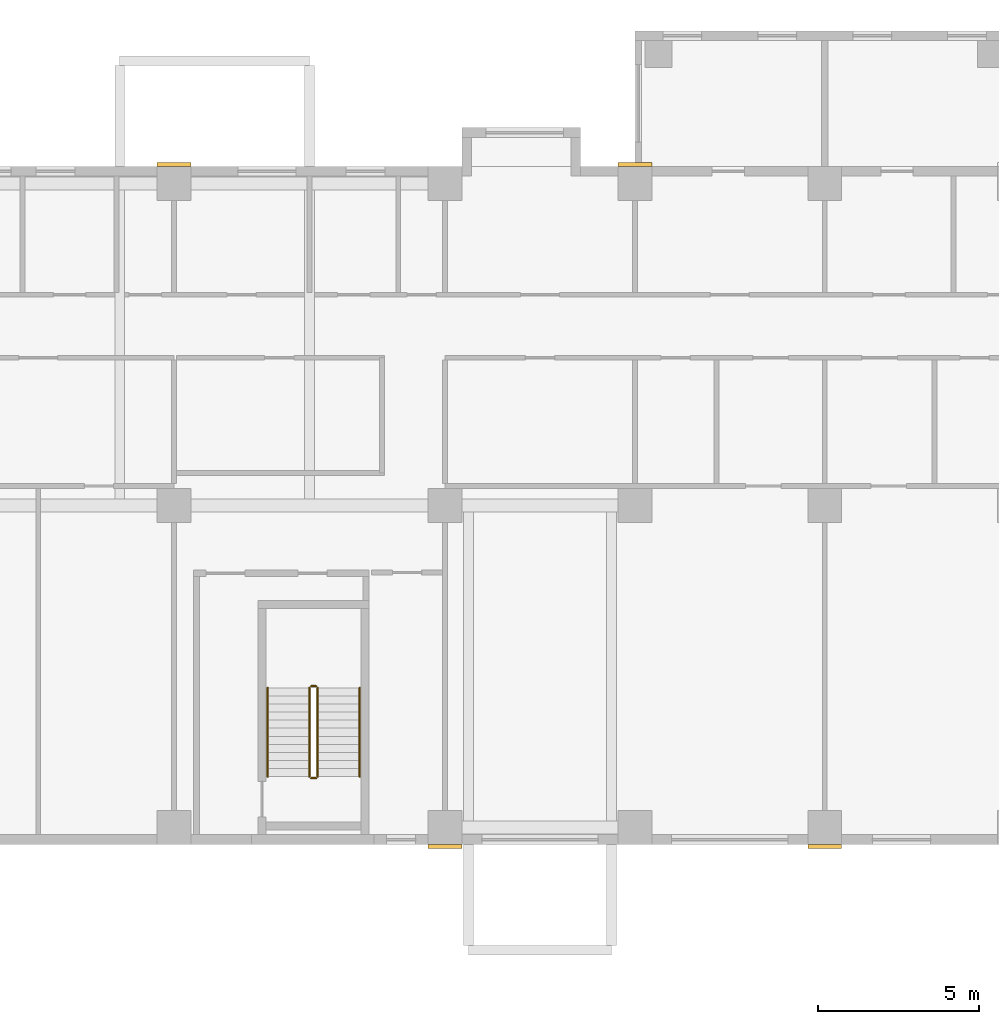
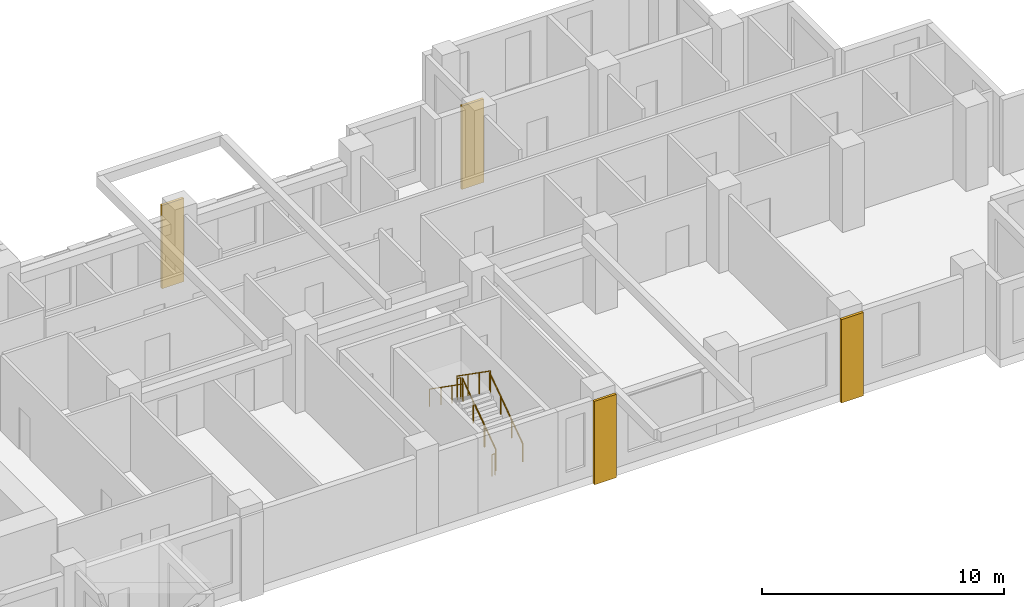
# One storey, part 12 of 14: 6 railings, 4 coverings.
"""IFC4 building model written with IfcOpenShell, lengths in metres."""

from ifc_helpers import new_model, si_unit, direction, frame, origin, origin_2d, place, context, subcontext, project, spatial, rectangle, circle, extrude, source, transform, mapped, material, type_object, element, save


model = new_model("IFC4")

# Units and contexts
model_context = context("Model", 3, precision=1e-05, world=origin(), true_north=direction((0.0, 1.0)))
body_context = subcontext(model_context, "Body", "Model", "MODEL_VIEW")
ifc_project = project(units=[si_unit("LENGTHUNIT", "METRE"), si_unit("AREAUNIT", "SQUARE_METRE"), si_unit("VOLUMEUNIT", "CUBIC_METRE"), si_unit("PLANEANGLEUNIT", "RADIAN"), si_unit("MASSUNIT", "GRAM", prefix="KILO")], contexts=[model_context])

# Site, building, storey
site_placement = place(None, origin())
site = spatial("IfcSite", under=ifc_project, at=site_placement, CompositionType="ELEMENT")
building_placement = place(site_placement, origin())
building = spatial("IfcBuilding", under=site, at=building_placement, Name="Aurelian Terraces", CompositionType="ELEMENT")
storey_placement = place(building_placement, frame((0.0, 0.0, 116.1)))
storey = spatial("IfcBuildingStorey", under=building, at=storey_placement, Name="L25", CompositionType="ELEMENT", Elevation=116.1)

# Coverings
ifc_material_1 = material(Name="Terracotta rainscreen cladding relief", Category="masonry")
covering_type = type_object("IfcCoveringType", Name="BAGUETTE-TC", PredefinedType="CLADDING", material=ifc_material_1)
shared_shape_1 = source(origin(), body_context, "Body", "SweptSolid", [
    extrude(rectangle(XDim=1.05, YDim=0.12, at=origin_2d()), origin(), (0.0, 0.0, 1.0), 4.2),
])
for number, where, z_axis, x_axis, name in (
    (1, (46.2, -0.06, -0.4), (0.0, 0.0, 1.0), (1.0, 0.0, 0.0), "BAGUETTE pier L25 3"),
    (2, (57.96, -0.06, -0.4), (0.0, 0.0, 1.0), (1.0, 0.0, 0.0), "BAGUETTE pier L25 4"),
    (3, (37.8, 21.06, -0.4), (0.0, 0.0, 1.0), (1.0, 0.0, 0.0), "BAGUETTE pier L25 7"),
    (4, (52.08, 21.06, -0.4), (0.0, 0.0, 1.0), (1.0, 0.0, 0.0), "BAGUETTE pier L25 8"),
):
    element("IfcCovering", number, at=place(storey_placement, frame(where, z_axis=z_axis, x_axis=x_axis)), inside=storey, type_object=covering_type, Name=name, PredefinedType="CLADDING", context=body_context, shape_type="MappedRepresentation", body=[
        mapped(shared_shape_1, transform((0.0, 0.0, 0.0), scale=1.0)),
    ])

# Railings
ifc_material_2 = material(Name="Stainless steel", Category="steel")
railing_type_1 = type_object("IfcRailingType", Name="Stair guard 1100", PredefinedType="GUARDRAIL", material=ifc_material_2)
shared_shape_2 = source(origin(), body_context, "Body", "SweptSolid", [
    extrude(circle(Radius=0.024, at=origin_2d()), frame((0.0, 0.0, 1.076), z_axis=(-1.0, 0.0, 0.0), x_axis=(0.0, -1.0, 0.0)), (0.0, 0.0, 1.0), 0.15),
    extrude(circle(Radius=0.021, at=origin_2d()), origin(), (0.0, 0.0, 1.0), 1.052),
    extrude(circle(Radius=0.021, at=origin_2d()), frame((-0.15, 0.0, 0.0)), (0.0, 0.0, 1.0), 1.052),
])
for number, where, name in (
    (5, (42.2, 4.9, 2.1), "L25 S2 stair guard 2"),
    (6, (42.2, 2.05, 0.0), "L25 S2 stair guard 4"),
):
    element("IfcRailing", number, at=place(storey_placement, frame(where)), inside=storey, type_object=railing_type_1, Name=name, PredefinedType="GUARDRAIL", context=body_context, shape_type="MappedRepresentation", body=[
        mapped(shared_shape_2, transform((0.0, 0.0, 0.0), scale=1.0)),
    ])
shared_shape_3 = source(origin(), body_context, "Body", "SweptSolid", [
    extrude(circle(Radius=0.024, at=origin_2d()), frame((0.0, 0.0, 1.076), z_axis=(0.0, 0.819231920519, 0.573462344363), x_axis=(-1.0, 0.0, 0.0)), (0.0, 0.0, 1.0), 3.3568),
    extrude(circle(Radius=0.021, at=origin_2d()), origin(), (0.0, 0.0, 1.0), 1.052),
    extrude(circle(Radius=0.021, at=origin_2d()), frame((0.0, 0.9167, 0.6417)), (0.0, 0.0, 1.0), 1.052),
    extrude(circle(Radius=0.021, at=origin_2d()), frame((0.0, 1.8333, 1.2833)), (0.0, 0.0, 1.0), 1.052),
    extrude(circle(Radius=0.021, at=origin_2d()), frame((0.0, 2.75, 1.925)), (0.0, 0.0, 1.0), 1.052),
])
railing_1_placement = place(storey_placement, frame((42.25, 2.1, 0.175)))
element("IfcRailing", 7, at=railing_1_placement, inside=storey, type_object=railing_type_1, Name="L25 S2 stair guard 1", PredefinedType="GUARDRAIL", context=body_context, shape_type="MappedRepresentation", body=[
    mapped(shared_shape_3, transform((0.0, 0.0, 0.0), scale=1.0)),
])
shared_shape_4 = source(origin(), body_context, "Body", "SweptSolid", [
    extrude(circle(Radius=0.024, at=origin_2d()), frame((0.0, 0.0, 1.076), z_axis=(0.0, -0.819231920519, 0.573462344363), x_axis=(1.0, 0.0, 0.0)), (0.0, 0.0, 1.0), 3.3568),
    extrude(circle(Radius=0.021, at=origin_2d()), origin(), (0.0, 0.0, 1.0), 1.052),
    extrude(circle(Radius=0.021, at=origin_2d()), frame((0.0, -0.9167, 0.6417)), (0.0, 0.0, 1.0), 1.052),
    extrude(circle(Radius=0.021, at=origin_2d()), frame((0.0, -1.8333, 1.2833)), (0.0, 0.0, 1.0), 1.052),
    extrude(circle(Radius=0.021, at=origin_2d()), frame((0.0, -2.75, 1.925)), (0.0, 0.0, 1.0), 1.052),
])
railing_2_placement = place(storey_placement, frame((42.0, 4.85, 2.275)))
element("IfcRailing", 8, at=railing_2_placement, inside=storey, type_object=railing_type_1, Name="L25 S2 stair guard 3", PredefinedType="GUARDRAIL", context=body_context, shape_type="MappedRepresentation", body=[
    mapped(shared_shape_4, transform((0.0, 0.0, 0.0), scale=1.0)),
])
railing_type_2 = type_object("IfcRailingType", Name="Stair handrail", PredefinedType="HANDRAIL", material=ifc_material_2)
shared_shape_5 = source(origin(), body_context, "Body", "SweptSolid", [
    extrude(circle(Radius=0.024, at=origin_2d()), frame((0.0, 0.0, 0.876), z_axis=(0.0, 0.819231920519, 0.573462344363), x_axis=(-1.0, 0.0, 0.0)), (0.0, 0.0, 1.0), 3.3568),
    extrude(circle(Radius=0.021, at=origin_2d()), origin(), (0.0, 0.0, 1.0), 0.852),
    extrude(circle(Radius=0.021, at=origin_2d()), frame((0.0, 0.9167, 0.6417)), (0.0, 0.0, 1.0), 0.852),
    extrude(circle(Radius=0.021, at=origin_2d()), frame((0.0, 1.8333, 1.2833)), (0.0, 0.0, 1.0), 0.852),
    extrude(circle(Radius=0.021, at=origin_2d()), frame((0.0, 2.75, 1.925)), (0.0, 0.0, 1.0), 0.852),
])
railing_3_placement = place(storey_placement, frame((43.55, 2.1, 0.175)))
element("IfcRailing", 9, at=railing_3_placement, inside=storey, type_object=railing_type_2, Name="L25 S2 stair handrail 1", PredefinedType="HANDRAIL", context=body_context, shape_type="MappedRepresentation", body=[
    mapped(shared_shape_5, transform((0.0, 0.0, 0.0), scale=1.0)),
])
shared_shape_6 = source(origin(), body_context, "Body", "SweptSolid", [
    extrude(circle(Radius=0.024, at=origin_2d()), frame((0.0, 0.0, 0.876), z_axis=(0.0, -0.819231920519, 0.573462344363), x_axis=(1.0, 0.0, 0.0)), (0.0, 0.0, 1.0), 3.3568),
    extrude(circle(Radius=0.021, at=origin_2d()), origin(), (0.0, 0.0, 1.0), 0.852),
    extrude(circle(Radius=0.021, at=origin_2d()), frame((0.0, -0.9167, 0.6417)), (0.0, 0.0, 1.0), 0.852),
    extrude(circle(Radius=0.021, at=origin_2d()), frame((0.0, -1.8333, 1.2833)), (0.0, 0.0, 1.0), 0.852),
    extrude(circle(Radius=0.021, at=origin_2d()), frame((0.0, -2.75, 1.925)), (0.0, 0.0, 1.0), 0.852),
])
railing_4_placement = place(storey_placement, frame((40.7, 4.85, 2.275)))
element("IfcRailing", 10, at=railing_4_placement, inside=storey, type_object=railing_type_2, Name="L25 S2 stair handrail 2", PredefinedType="HANDRAIL", context=body_context, shape_type="MappedRepresentation", body=[
    mapped(shared_shape_6, transform((0.0, 0.0, 0.0), scale=1.0)),
])

save(model, "model.ifc")
